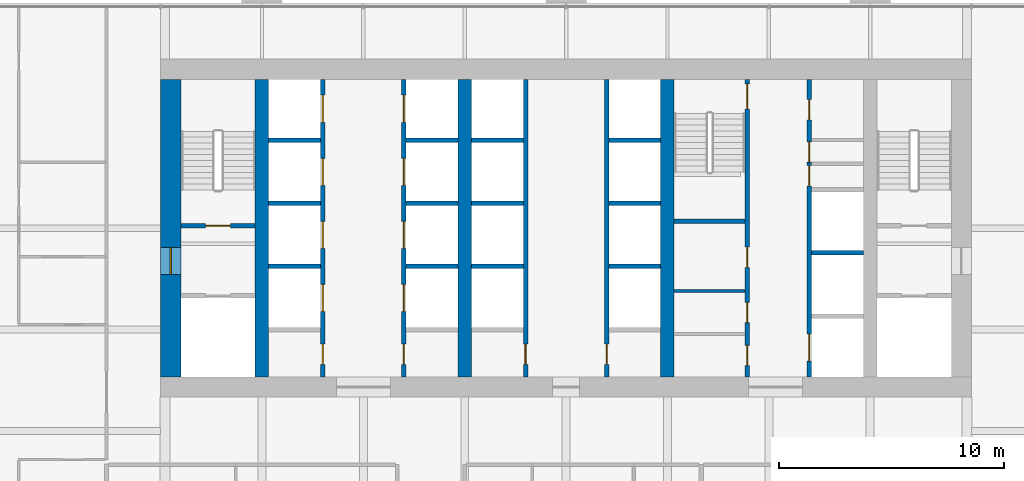
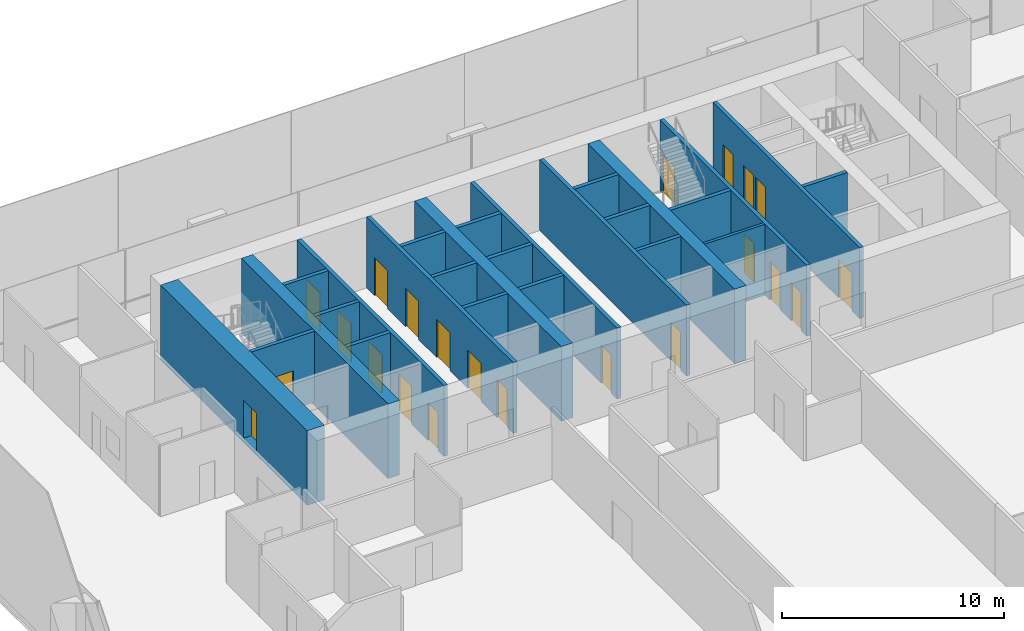
# One storey, part 13 of 17: 26 walls, 22 doors, 22 openings.
"""IFC4 building model written with IfcOpenShell, lengths in metres."""

from ifc_helpers import new_model, si_unit, direction, frame, frame_2d, origin, place, context, subcontext, project, spatial, rectangle, extrude, material, layer, layer_set, type_object, element, fill, save


model = new_model("IFC4")

# Units and contexts
model_context = context("Model", 3, precision=1e-05, world=origin(), true_north=direction((0.0, 1.0)))
body_context = subcontext(model_context, "Body", "Model", "MODEL_VIEW")
ifc_project = project(units=[si_unit("LENGTHUNIT", "METRE"), si_unit("AREAUNIT", "SQUARE_METRE"), si_unit("VOLUMEUNIT", "CUBIC_METRE"), si_unit("PLANEANGLEUNIT", "RADIAN"), si_unit("MASSUNIT", "GRAM", prefix="KILO")], contexts=[model_context])

# Site, building, storey
site_placement = place(None, origin())
site = spatial("IfcSite", under=ifc_project, at=site_placement, CompositionType="ELEMENT")
building_placement = place(site_placement, origin())
building = spatial("IfcBuilding", under=site, at=building_placement, Name="Rattan Terrace Tower", CompositionType="ELEMENT")
storey_placement = place(building_placement, frame((0.0, 0.0, 44.699951171875)))
storey = spatial("IfcBuildingStorey", under=building, at=storey_placement, Name="L09", CompositionType="ELEMENT", Elevation=44.699951171875)

# Wall
ifc_material_1 = material(Name="Gypsum board partition")
ifc_layer_1 = layer(ifc_material_1, 0.14990234375)
ifc_layer_set_1 = layer_set([ifc_layer_1], Name="Core partition 150")
wall_type_1 = type_object("IfcWallType", Name="Core partition 150", PredefinedType="PARTITIONING", material=ifc_layer_set_1)
wall_1_placement = place(storey_placement, frame((4.800048828125, -2.7919921875, 0.0), z_axis=(0.0, 0.0, 1.0), x_axis=(1.0, 0.0, 0.0)))
element("IfcWall", 1, at=wall_1_placement, inside=storey, type_object=wall_type_1, Name="Toilet wall", PredefinedType="PARTITIONING", context=body_context, shape_type="SweptSolid", body=[
    extrude(rectangle(XDim=3.14990234375, YDim=0.14990234375, at=frame_2d((1.574951171875, 0.0))), origin(), (0.0, 0.0, 1.0), 3.900146484375),
])

# Wall, opening, door
ifc_material_2 = material(Name="Gypsum board partition")
ifc_layer_2 = layer(ifc_material_2, 0.199951171875)
ifc_layer_set_2 = layer_set([ifc_layer_2], Name="Core partition 200")
wall_type_2 = type_object("IfcWallType", Name="Core partition 200", PredefinedType="PARTITIONING", material=ifc_layer_set_2)
wall_2_placement = place(storey_placement, frame((-17.10009765625, 0.10009765625, 0.0), z_axis=(0.0, 0.0, 1.0), x_axis=(1.0, 0.0, 0.0)))
wall_2 = element("IfcWall", 2, at=wall_2_placement, inside=storey, type_object=wall_type_2, Name="Stair enclosure wall", PredefinedType="PARTITIONING", context=body_context, shape_type="SweptSolid", body=[
    extrude(rectangle(XDim=3.300048828125, YDim=0.199951171875, at=frame_2d((1.64990234375, 0.0))), origin(), (0.0, 0.0, 1.0), 3.900146484375),
])
opening_1_placement = place(wall_2_placement, frame((1.10009765625, 0.0, 0.0)))
opening_1 = element("IfcOpeningElement", 3, at=opening_1_placement, cuts=wall_2, Name="Opening L09-D002", PredefinedType="OPENING", context=body_context, shape_type="SweptSolid", body=[
    extrude(rectangle(XDim=1.10009765625, YDim=2.10009765625, at=frame_2d((0.550048828125, 1.050048828125))), frame((0.0, 0.110595703125, 0.0), z_axis=(0.0, -1.0, 0.0), x_axis=(1.0, 0.0, 0.0)), (0.0, 0.0, 1.0), 0.220947265625),
])
ifc_material_3 = material(Name="Hollow-metal fire door leaf")
door_type_1 = type_object("IfcDoorType", Name="Core stair door 1100", OperationType="NOTDEFINED", PredefinedType="DOOR", material=ifc_material_3)
door_1_placement = place(opening_1_placement, origin())
door_1 = element("IfcDoor", 4, at=door_1_placement, inside=storey, type_object=door_type_1, Name="Door L09-D002", OperationType="SINGLE_SWING_RIGHT", OverallHeight=2.10009765625, OverallWidth=1.10009765625, PredefinedType="DOOR", context=body_context, shape_type="SweptSolid", body=[
    extrude(rectangle(XDim=1.10009765625, YDim=2.10009765625, at=frame_2d((0.550048828125, 1.050048828125))), frame((0.0, 0.02490234375, 0.0), z_axis=(0.0, -1.0, 0.0), x_axis=(1.0, 0.0, 0.0)), (0.0, 0.0, 1.0), 0.050048828125),
])
fill(opening_1, door_1)

# Wall, openings, doors
wall_3_placement = place(storey_placement, frame((8.050048828125, -6.60009765625, 0.0), z_axis=(0.0, 0.0, 1.0), x_axis=(0.0, 1.0, 0.0)))
wall_3 = element("IfcWall", 5, at=wall_3_placement, inside=storey, type_object=wall_type_2, Name="Lobby wall west", PredefinedType="PARTITIONING", context=body_context, shape_type="SweptSolid", body=[
    extrude(rectangle(XDim=13.2001953125, YDim=0.199951171875, at=frame_2d((6.60009765625, 0.0))), origin(), (0.0, 0.0, 1.0), 3.900146484375),
])
opening_2_placement = place(wall_3_placement, frame((0.501953125, 0.0, 0.0)))
opening_2 = element("IfcOpeningElement", 6, at=opening_2_placement, cuts=wall_3, Name="Opening L09-D011", PredefinedType="OPENING", context=body_context, shape_type="SweptSolid", body=[
    extrude(rectangle(XDim=0.89990234375, YDim=2.10009765625, at=frame_2d((0.449951171875, 1.050048828125))), frame((0.0, 0.110595703125, 0.0), z_axis=(0.0, -1.0, 0.0), x_axis=(1.0, 0.0, 0.0)), (0.0, 0.0, 1.0), 0.220947265625),
])
opening_3_placement = place(wall_3_placement, frame((2.406005859375, 0.0, 0.0)))
opening_3 = element("IfcOpeningElement", 7, at=opening_3_placement, cuts=wall_3, Name="Opening L09-D012", PredefinedType="OPENING", context=body_context, shape_type="SweptSolid", body=[
    extrude(rectangle(XDim=0.89990234375, YDim=2.10009765625, at=frame_2d((0.449951171875, 1.050048828125))), frame((0.0, 0.110595703125, 0.0), z_axis=(0.0, -1.0, 0.0), x_axis=(1.0, 0.0, 0.0)), (0.0, 0.0, 1.0), 0.220947265625),
])
opening_4_placement = place(wall_3_placement, frame((4.85400390625, 0.0, 0.0)))
opening_4 = element("IfcOpeningElement", 8, at=opening_4_placement, cuts=wall_3, Name="Opening L09-D013", PredefinedType="OPENING", context=body_context, shape_type="SweptSolid", body=[
    extrude(rectangle(XDim=0.89990234375, YDim=2.10009765625, at=frame_2d((0.449951171875, 1.050048828125))), frame((0.0, 0.110595703125, 0.0), z_axis=(0.0, -1.0, 0.0), x_axis=(1.0, 0.0, 0.0)), (0.0, 0.0, 1.0), 0.220947265625),
])
opening_5_placement = place(wall_3_placement, frame((11.89990234375, 0.0, 0.0)))
opening_5 = element("IfcOpeningElement", 9, at=opening_5_placement, cuts=wall_3, Name="Opening L09-D014", PredefinedType="OPENING", context=body_context, shape_type="SweptSolid", body=[
    extrude(rectangle(XDim=1.10009765625, YDim=2.10009765625, at=frame_2d((0.550048828125, 1.050048828125))), frame((0.0, 0.110595703125, 0.0), z_axis=(0.0, -1.0, 0.0), x_axis=(1.0, 0.0, 0.0)), (0.0, 0.0, 1.0), 0.220947265625),
])
door_2_placement = place(opening_5_placement, origin())
door_2 = element("IfcDoor", 10, at=door_2_placement, inside=storey, type_object=door_type_1, Name="Door L09-D014", OperationType="SINGLE_SWING_LEFT", OverallHeight=2.10009765625, OverallWidth=1.10009765625, PredefinedType="DOOR", context=body_context, shape_type="SweptSolid", body=[
    extrude(rectangle(XDim=1.10009765625, YDim=2.10009765625, at=frame_2d((0.550048828125, 1.050048828125))), frame((0.0, 0.02490234375, 0.0), z_axis=(0.0, -1.0, 0.0), x_axis=(1.0, 0.0, 0.0)), (0.0, 0.0, 1.0), 0.050048828125),
])
fill(opening_5, door_2)
ifc_material_4 = material(Name="Hollow-metal fire door leaf")
door_type_2 = type_object("IfcDoorType", Name="Core toilet door 900", OperationType="NOTDEFINED", PredefinedType="DOOR", material=ifc_material_4)
door_3_placement = place(opening_2_placement, origin())
door_3 = element("IfcDoor", 11, at=door_3_placement, inside=storey, type_object=door_type_2, Name="Door L09-D011", OperationType="SINGLE_SWING_RIGHT", OverallHeight=2.10009765625, OverallWidth=0.89990234375, PredefinedType="DOOR", context=body_context, shape_type="SweptSolid", body=[
    extrude(rectangle(XDim=0.89990234375, YDim=2.10009765625, at=frame_2d((0.449951171875, 1.050048828125))), frame((0.0, 0.02490234375, 0.0), z_axis=(0.0, -1.0, 0.0), x_axis=(1.0, 0.0, 0.0)), (0.0, 0.0, 1.0), 0.050048828125),
])
fill(opening_2, door_3)
door_4_placement = place(opening_3_placement, origin())
door_4 = element("IfcDoor", 12, at=door_4_placement, inside=storey, type_object=door_type_2, Name="Door L09-D012", OperationType="SINGLE_SWING_LEFT", OverallHeight=2.10009765625, OverallWidth=0.89990234375, PredefinedType="DOOR", context=body_context, shape_type="SweptSolid", body=[
    extrude(rectangle(XDim=0.89990234375, YDim=2.10009765625, at=frame_2d((0.449951171875, 1.050048828125))), frame((0.0, 0.02490234375, 0.0), z_axis=(0.0, -1.0, 0.0), x_axis=(1.0, 0.0, 0.0)), (0.0, 0.0, 1.0), 0.050048828125),
])
fill(opening_3, door_4)
door_5_placement = place(opening_4_placement, origin())
door_5 = element("IfcDoor", 13, at=door_5_placement, inside=storey, type_object=door_type_2, Name="Door L09-D013", OperationType="SINGLE_SWING_RIGHT", OverallHeight=2.10009765625, OverallWidth=0.89990234375, PredefinedType="DOOR", context=body_context, shape_type="SweptSolid", body=[
    extrude(rectangle(XDim=0.89990234375, YDim=2.10009765625, at=frame_2d((0.449951171875, 1.050048828125))), frame((0.0, 0.02490234375, 0.0), z_axis=(0.0, -1.0, 0.0), x_axis=(1.0, 0.0, 0.0)), (0.0, 0.0, 1.0), 0.050048828125),
])
fill(opening_4, door_5)

# Wall
wall_4_placement = place(storey_placement, frame((4.800048828125, 0.300048828125, 0.0), z_axis=(0.0, 0.0, 1.0), x_axis=(1.0, 0.0, 0.0)))
element("IfcWall", 14, at=wall_4_placement, inside=storey, type_object=wall_type_2, Name="Stair enclosure wall", PredefinedType="PARTITIONING", context=body_context, shape_type="SweptSolid", body=[
    extrude(rectangle(XDim=3.14990234375, YDim=0.199951171875, at=frame_2d((1.574951171875, 0.0))), origin(), (0.0, 0.0, 1.0), 3.900146484375),
])

# Wall, opening, door
ifc_material_5 = material(Name="Concrete C70/85", Category="concrete")
ifc_layer_3 = layer(ifc_material_5, 0.89990234375)
ifc_layer_set_3 = layer_set([ifc_layer_3], Name="Core ring wall 900 C70/85")
wall_type_3 = type_object("IfcWallType", Name="Core ring wall 900 C70/85", PredefinedType="SHEAR", material=ifc_layer_set_3)
wall_5_placement = place(storey_placement, frame((-17.550048828125, -6.60009765625, -0.199951171875), z_axis=(0.0, 0.0, 1.0), x_axis=(0.0, 1.0, 0.0)))
wall_5 = element("IfcWall", 15, at=wall_5_placement, inside=storey, type_object=wall_type_3, Name="Rear core wall west", PredefinedType="SHEAR", context=body_context, shape_type="SweptSolid", body=[
    extrude(rectangle(XDim=13.2001953125, YDim=0.89990234375, at=frame_2d((6.60009765625, 0.0))), origin(), (0.0, 0.0, 1.0), 4.10009765625),
])
opening_6_placement = place(wall_5_placement, frame((4.550048828125, 0.0, 0.199951171875)))
opening_6 = element("IfcOpeningElement", 16, at=opening_6_placement, cuts=wall_5, Name="Opening L09-D001", PredefinedType="OPENING", context=body_context, shape_type="SweptSolid", body=[
    extrude(rectangle(XDim=1.199951171875, YDim=2.10009765625, at=frame_2d((0.60009765625, 1.050048828125))), frame((0.0, 0.46044921875, 0.0), z_axis=(0.0, -1.0, 0.0), x_axis=(1.0, 0.0, 0.0)), (0.0, 0.0, 1.0), 0.9208984375),
])
ifc_material_6 = material(Name="Hollow-metal fire door leaf")
door_type_3 = type_object("IfcDoorType", Name="Core fire-fighting lobby door 1200", OperationType="NOTDEFINED", PredefinedType="DOOR", material=ifc_material_6)
door_6_placement = place(opening_6_placement, origin())
door_6 = element("IfcDoor", 17, at=door_6_placement, inside=storey, type_object=door_type_3, Name="Door L09-D001", OperationType="SINGLE_SWING_LEFT", OverallHeight=2.10009765625, OverallWidth=1.199951171875, PredefinedType="DOOR", context=body_context, shape_type="SweptSolid", body=[
    extrude(rectangle(XDim=1.199951171875, YDim=2.10009765625, at=frame_2d((0.60009765625, 1.050048828125))), frame((0.0, 0.02490234375, 0.0), z_axis=(0.0, -1.0, 0.0), x_axis=(1.0, 0.0, 0.0)), (0.0, 0.0, 1.0), 0.050048828125),
])
fill(opening_6, door_6)

# Walls
ifc_material_7 = material(Name="Concrete C70/85", Category="concrete")
ifc_layer_4 = layer(ifc_material_7, 0.60009765625)
ifc_layer_set_4 = layer_set([ifc_layer_4], Name="Core spine wall 600 C70/85")
wall_type_4 = type_object("IfcWallType", Name="Core spine wall 600 C70/85", PredefinedType="SHEAR", material=ifc_layer_set_4)
for number, where, z_axis, x_axis, name in (
    (18, (-13.5, -6.60009765625, -0.199951171875), (0.0, 0.0, 1.0), (0.0, 1.0, 0.0), "Core spine wall 1"),
    (19, (-4.5, -6.60009765625, -0.199951171875), (0.0, 0.0, 1.0), (0.0, 1.0, 0.0), "Core spine wall 2"),
    (20, (4.5, -6.60009765625, -0.199951171875), (0.0, 0.0, 1.0), (0.0, 1.0, 0.0), "Core spine wall 3"),
):
    element("IfcWall", number, at=place(storey_placement, frame(where, z_axis=z_axis, x_axis=x_axis)), inside=storey, type_object=wall_type_4, Name=name, PredefinedType="SHEAR", context=body_context, shape_type="SweptSolid", body=[
        extrude(rectangle(XDim=13.2001953125, YDim=0.60009765625, at=frame_2d((6.60009765625, 0.0))), origin(), (0.0, 0.0, 1.0), 4.10009765625),
    ])

# Wall, openings, doors
ifc_material_8 = material(Name="Gypsum shaft wall system")
ifc_layer_5 = layer(ifc_material_8, 0.199951171875)
ifc_layer_set_5 = layer_set([ifc_layer_5], Name="Lift shaft wall 200")
wall_type_5 = type_object("IfcWallType", Name="Lift shaft wall 200", PredefinedType="PARTITIONING", material=ifc_layer_set_5)
wall_6_placement = place(storey_placement, frame((-10.800048828125, -6.60009765625, 0.0), z_axis=(0.0, 0.0, 1.0), x_axis=(0.0, 1.0, 0.0)))
wall_6 = element("IfcWall", 21, at=wall_6_placement, inside=storey, type_object=wall_type_5, Name="Lift shaft front wall", PredefinedType="PARTITIONING", context=body_context, shape_type="SweptSolid", body=[
    extrude(rectangle(XDim=13.2001953125, YDim=0.199951171875, at=frame_2d((6.60009765625, 0.0))), origin(), (0.0, 0.0, 1.0), 3.900146484375),
])
opening_7_placement = place(wall_6_placement, frame((0.550048828125, 0.0, 0.0)))
opening_7 = element("IfcOpeningElement", 22, at=opening_7_placement, cuts=wall_6, Name="Opening L09-D005", PredefinedType="OPENING", context=body_context, shape_type="SweptSolid", body=[
    extrude(rectangle(XDim=0.89990234375, YDim=2.10009765625, at=frame_2d((0.449951171875, 1.050048828125))), frame((0.0, 0.110595703125, 0.0), z_axis=(0.0, -1.0, 0.0), x_axis=(1.0, 0.0, 0.0)), (0.0, 0.0, 1.0), 0.220947265625),
])
opening_8_placement = place(wall_6_placement, frame((2.89990234375, 0.0, 0.0)))
opening_8 = element("IfcOpeningElement", 23, at=opening_8_placement, cuts=wall_6, Name="Opening L09-LD-LR1", PredefinedType="OPENING", context=body_context, shape_type="SweptSolid", body=[
    extrude(rectangle(XDim=1.199951171875, YDim=2.10009765625, at=frame_2d((0.60009765625, 1.050048828125))), frame((0.0, 0.110595703125, 0.0), z_axis=(0.0, -1.0, 0.0), x_axis=(1.0, 0.0, 0.0)), (0.0, 0.0, 1.0), 0.220947265625),
])
opening_9_placement = place(wall_6_placement, frame((5.699951171875, 0.0, 0.0)))
opening_9 = element("IfcOpeningElement", 24, at=opening_9_placement, cuts=wall_6, Name="Opening L09-LD-LR2", PredefinedType="OPENING", context=body_context, shape_type="SweptSolid", body=[
    extrude(rectangle(XDim=1.199951171875, YDim=2.10009765625, at=frame_2d((0.60009765625, 1.050048828125))), frame((0.0, 0.110595703125, 0.0), z_axis=(0.0, -1.0, 0.0), x_axis=(1.0, 0.0, 0.0)), (0.0, 0.0, 1.0), 0.220947265625),
])
opening_10_placement = place(wall_6_placement, frame((8.5, 0.0, 0.0)))
opening_10 = element("IfcOpeningElement", 25, at=opening_10_placement, cuts=wall_6, Name="Opening L09-LD-LR3", PredefinedType="OPENING", context=body_context, shape_type="SweptSolid", body=[
    extrude(rectangle(XDim=1.199951171875, YDim=2.10009765625, at=frame_2d((0.60009765625, 1.050048828125))), frame((0.0, 0.110595703125, 0.0), z_axis=(0.0, -1.0, 0.0), x_axis=(1.0, 0.0, 0.0)), (0.0, 0.0, 1.0), 0.220947265625),
])
opening_11_placement = place(wall_6_placement, frame((11.300048828125, 0.0, 0.0)))
opening_11 = element("IfcOpeningElement", 26, at=opening_11_placement, cuts=wall_6, Name="Opening L09-LD-LR4", PredefinedType="OPENING", context=body_context, shape_type="SweptSolid", body=[
    extrude(rectangle(XDim=1.199951171875, YDim=2.10009765625, at=frame_2d((0.60009765625, 1.050048828125))), frame((0.0, 0.110595703125, 0.0), z_axis=(0.0, -1.0, 0.0), x_axis=(1.0, 0.0, 0.0)), (0.0, 0.0, 1.0), 0.220947265625),
])
ifc_material_9 = material(Name="Brushed stainless landing door panel")
door_type_4 = type_object("IfcDoorType", Name="Core lift landing door 1200", OperationType="DOUBLE_DOOR_SLIDING", PredefinedType="DOOR", material=ifc_material_9)
door_7_placement = place(opening_8_placement, origin())
door_7 = element("IfcDoor", 27, at=door_7_placement, inside=storey, type_object=door_type_4, Name="Door L09-LD-LR1", OperationType="DOUBLE_DOOR_SLIDING", OverallHeight=2.10009765625, OverallWidth=1.199951171875, PredefinedType="DOOR", context=body_context, shape_type="SweptSolid", body=[
    extrude(rectangle(XDim=1.199951171875, YDim=2.10009765625, at=frame_2d((0.60009765625, 1.050048828125))), frame((0.0, 0.02490234375, 0.0), z_axis=(0.0, -1.0, 0.0), x_axis=(1.0, 0.0, 0.0)), (0.0, 0.0, 1.0), 0.050048828125),
])
fill(opening_8, door_7)
door_8_placement = place(opening_9_placement, origin())
door_8 = element("IfcDoor", 28, at=door_8_placement, inside=storey, type_object=door_type_4, Name="Door L09-LD-LR2", OperationType="DOUBLE_DOOR_SLIDING", OverallHeight=2.10009765625, OverallWidth=1.199951171875, PredefinedType="DOOR", context=body_context, shape_type="SweptSolid", body=[
    extrude(rectangle(XDim=1.199951171875, YDim=2.10009765625, at=frame_2d((0.60009765625, 1.050048828125))), frame((0.0, 0.02490234375, 0.0), z_axis=(0.0, -1.0, 0.0), x_axis=(1.0, 0.0, 0.0)), (0.0, 0.0, 1.0), 0.050048828125),
])
fill(opening_9, door_8)
door_9_placement = place(opening_10_placement, origin())
door_9 = element("IfcDoor", 29, at=door_9_placement, inside=storey, type_object=door_type_4, Name="Door L09-LD-LR3", OperationType="DOUBLE_DOOR_SLIDING", OverallHeight=2.10009765625, OverallWidth=1.199951171875, PredefinedType="DOOR", context=body_context, shape_type="SweptSolid", body=[
    extrude(rectangle(XDim=1.199951171875, YDim=2.10009765625, at=frame_2d((0.60009765625, 1.050048828125))), frame((0.0, 0.02490234375, 0.0), z_axis=(0.0, -1.0, 0.0), x_axis=(1.0, 0.0, 0.0)), (0.0, 0.0, 1.0), 0.050048828125),
])
fill(opening_10, door_9)
door_10_placement = place(opening_11_placement, origin())
door_10 = element("IfcDoor", 30, at=door_10_placement, inside=storey, type_object=door_type_4, Name="Door L09-LD-LR4", OperationType="DOUBLE_DOOR_SLIDING", OverallHeight=2.10009765625, OverallWidth=1.199951171875, PredefinedType="DOOR", context=body_context, shape_type="SweptSolid", body=[
    extrude(rectangle(XDim=1.199951171875, YDim=2.10009765625, at=frame_2d((0.60009765625, 1.050048828125))), frame((0.0, 0.02490234375, 0.0), z_axis=(0.0, -1.0, 0.0), x_axis=(1.0, 0.0, 0.0)), (0.0, 0.0, 1.0), 0.050048828125),
])
fill(opening_11, door_10)
ifc_material_10 = material(Name="Hollow-metal fire door leaf")
door_type_5 = type_object("IfcDoorType", Name="Core riser door 900", OperationType="NOTDEFINED", PredefinedType="DOOR", material=ifc_material_10)
door_11_placement = place(opening_7_placement, origin())
door_11 = element("IfcDoor", 31, at=door_11_placement, inside=storey, type_object=door_type_5, Name="Door L09-D005", OperationType="SINGLE_SWING_LEFT", OverallHeight=2.10009765625, OverallWidth=0.89990234375, PredefinedType="DOOR", context=body_context, shape_type="SweptSolid", body=[
    extrude(rectangle(XDim=0.89990234375, YDim=2.10009765625, at=frame_2d((0.449951171875, 1.050048828125))), frame((0.0, 0.02490234375, 0.0), z_axis=(0.0, -1.0, 0.0), x_axis=(1.0, 0.0, 0.0)), (0.0, 0.0, 1.0), 0.050048828125),
])
fill(opening_7, door_11)

wall_7_placement = place(storey_placement, frame((-7.199951171875, -6.60009765625, 0.0), z_axis=(0.0, 0.0, 1.0), x_axis=(0.0, 1.0, 0.0)))
wall_7 = element("IfcWall", 32, at=wall_7_placement, inside=storey, type_object=wall_type_5, Name="Lift shaft front wall", PredefinedType="PARTITIONING", context=body_context, shape_type="SweptSolid", body=[
    extrude(rectangle(XDim=13.2001953125, YDim=0.199951171875, at=frame_2d((6.60009765625, 0.0))), origin(), (0.0, 0.0, 1.0), 3.900146484375),
])
opening_12_placement = place(wall_7_placement, frame((0.550048828125, 0.0, 0.0)))
opening_12 = element("IfcOpeningElement", 33, at=opening_12_placement, cuts=wall_7, Name="Opening L09-D006", PredefinedType="OPENING", context=body_context, shape_type="SweptSolid", body=[
    extrude(rectangle(XDim=0.89990234375, YDim=2.10009765625, at=frame_2d((0.449951171875, 1.050048828125))), frame((0.0, 0.110595703125, 0.0), z_axis=(0.0, -1.0, 0.0), x_axis=(1.0, 0.0, 0.0)), (0.0, 0.0, 1.0), 0.220947265625),
])
opening_13_placement = place(wall_7_placement, frame((2.89990234375, 0.0, 0.0)))
opening_13 = element("IfcOpeningElement", 34, at=opening_13_placement, cuts=wall_7, Name="Opening L09-LD-LR5", PredefinedType="OPENING", context=body_context, shape_type="SweptSolid", body=[
    extrude(rectangle(XDim=1.199951171875, YDim=2.10009765625, at=frame_2d((0.60009765625, 1.050048828125))), frame((0.0, 0.110595703125, 0.0), z_axis=(0.0, -1.0, 0.0), x_axis=(1.0, 0.0, 0.0)), (0.0, 0.0, 1.0), 0.220947265625),
])
opening_14_placement = place(wall_7_placement, frame((5.699951171875, 0.0, 0.0)))
opening_14 = element("IfcOpeningElement", 35, at=opening_14_placement, cuts=wall_7, Name="Opening L09-LD-LR6", PredefinedType="OPENING", context=body_context, shape_type="SweptSolid", body=[
    extrude(rectangle(XDim=1.199951171875, YDim=2.10009765625, at=frame_2d((0.60009765625, 1.050048828125))), frame((0.0, 0.110595703125, 0.0), z_axis=(0.0, -1.0, 0.0), x_axis=(1.0, 0.0, 0.0)), (0.0, 0.0, 1.0), 0.220947265625),
])
opening_15_placement = place(wall_7_placement, frame((8.5, 0.0, 0.0)))
opening_15 = element("IfcOpeningElement", 36, at=opening_15_placement, cuts=wall_7, Name="Opening L09-LD-LR7", PredefinedType="OPENING", context=body_context, shape_type="SweptSolid", body=[
    extrude(rectangle(XDim=1.199951171875, YDim=2.10009765625, at=frame_2d((0.60009765625, 1.050048828125))), frame((0.0, 0.110595703125, 0.0), z_axis=(0.0, -1.0, 0.0), x_axis=(1.0, 0.0, 0.0)), (0.0, 0.0, 1.0), 0.220947265625),
])
opening_16_placement = place(wall_7_placement, frame((11.300048828125, 0.0, 0.0)))
opening_16 = element("IfcOpeningElement", 37, at=opening_16_placement, cuts=wall_7, Name="Opening L09-LD-LR8", PredefinedType="OPENING", context=body_context, shape_type="SweptSolid", body=[
    extrude(rectangle(XDim=1.199951171875, YDim=2.10009765625, at=frame_2d((0.60009765625, 1.050048828125))), frame((0.0, 0.110595703125, 0.0), z_axis=(0.0, -1.0, 0.0), x_axis=(1.0, 0.0, 0.0)), (0.0, 0.0, 1.0), 0.220947265625),
])
door_12_placement = place(opening_13_placement, origin())
door_12 = element("IfcDoor", 38, at=door_12_placement, inside=storey, type_object=door_type_4, Name="Door L09-LD-LR5", OperationType="DOUBLE_DOOR_SLIDING", OverallHeight=2.10009765625, OverallWidth=1.199951171875, PredefinedType="DOOR", context=body_context, shape_type="SweptSolid", body=[
    extrude(rectangle(XDim=1.199951171875, YDim=2.10009765625, at=frame_2d((0.60009765625, 1.050048828125))), frame((0.0, 0.02490234375, 0.0), z_axis=(0.0, -1.0, 0.0), x_axis=(1.0, 0.0, 0.0)), (0.0, 0.0, 1.0), 0.050048828125),
])
fill(opening_13, door_12)
door_13_placement = place(opening_14_placement, origin())
door_13 = element("IfcDoor", 39, at=door_13_placement, inside=storey, type_object=door_type_4, Name="Door L09-LD-LR6", OperationType="DOUBLE_DOOR_SLIDING", OverallHeight=2.10009765625, OverallWidth=1.199951171875, PredefinedType="DOOR", context=body_context, shape_type="SweptSolid", body=[
    extrude(rectangle(XDim=1.199951171875, YDim=2.10009765625, at=frame_2d((0.60009765625, 1.050048828125))), frame((0.0, 0.02490234375, 0.0), z_axis=(0.0, -1.0, 0.0), x_axis=(1.0, 0.0, 0.0)), (0.0, 0.0, 1.0), 0.050048828125),
])
fill(opening_14, door_13)
door_14_placement = place(opening_15_placement, origin())
door_14 = element("IfcDoor", 40, at=door_14_placement, inside=storey, type_object=door_type_4, Name="Door L09-LD-LR7", OperationType="DOUBLE_DOOR_SLIDING", OverallHeight=2.10009765625, OverallWidth=1.199951171875, PredefinedType="DOOR", context=body_context, shape_type="SweptSolid", body=[
    extrude(rectangle(XDim=1.199951171875, YDim=2.10009765625, at=frame_2d((0.60009765625, 1.050048828125))), frame((0.0, 0.02490234375, 0.0), z_axis=(0.0, -1.0, 0.0), x_axis=(1.0, 0.0, 0.0)), (0.0, 0.0, 1.0), 0.050048828125),
])
fill(opening_15, door_14)
door_15_placement = place(opening_16_placement, origin())
door_15 = element("IfcDoor", 41, at=door_15_placement, inside=storey, type_object=door_type_4, Name="Door L09-LD-LR8", OperationType="DOUBLE_DOOR_SLIDING", OverallHeight=2.10009765625, OverallWidth=1.199951171875, PredefinedType="DOOR", context=body_context, shape_type="SweptSolid", body=[
    extrude(rectangle(XDim=1.199951171875, YDim=2.10009765625, at=frame_2d((0.60009765625, 1.050048828125))), frame((0.0, 0.02490234375, 0.0), z_axis=(0.0, -1.0, 0.0), x_axis=(1.0, 0.0, 0.0)), (0.0, 0.0, 1.0), 0.050048828125),
])
fill(opening_16, door_15)
door_16_placement = place(opening_12_placement, origin())
door_16 = element("IfcDoor", 42, at=door_16_placement, inside=storey, type_object=door_type_5, Name="Door L09-D006", OperationType="SINGLE_SWING_RIGHT", OverallHeight=2.10009765625, OverallWidth=0.89990234375, PredefinedType="DOOR", context=body_context, shape_type="SweptSolid", body=[
    extrude(rectangle(XDim=0.89990234375, YDim=2.10009765625, at=frame_2d((0.449951171875, 1.050048828125))), frame((0.0, 0.02490234375, 0.0), z_axis=(0.0, -1.0, 0.0), x_axis=(1.0, 0.0, 0.0)), (0.0, 0.0, 1.0), 0.050048828125),
])
fill(opening_12, door_16)

# Walls
for number, where, z_axis, x_axis, name in (
    (43, (-13.199951171875, -1.699951171875, 0.0), (0.0, 0.0, 1.0), (1.0, 0.0, 0.0), "Lift shaft wall"),
    (44, (-13.199951171875, 1.10009765625, 0.0), (0.0, 0.0, 1.0), (1.0, 0.0, 0.0), "Lift shaft wall"),
    (45, (-13.199951171875, 3.89990234375, 0.0), (0.0, 0.0, 1.0), (1.0, 0.0, 0.0), "Lift shaft wall"),
    (46, (-7.10009765625, -1.699951171875, 0.0), (0.0, 0.0, 1.0), (1.0, 0.0, 0.0), "Lift shaft wall"),
    (47, (-7.10009765625, 1.10009765625, 0.0), (0.0, 0.0, 1.0), (1.0, 0.0, 0.0), "Lift shaft wall"),
    (48, (-7.10009765625, 3.89990234375, 0.0), (0.0, 0.0, 1.0), (1.0, 0.0, 0.0), "Lift shaft wall"),
):
    element("IfcWall", number, at=place(storey_placement, frame(where, z_axis=z_axis, x_axis=x_axis)), inside=storey, type_object=wall_type_5, Name=name, PredefinedType="PARTITIONING", context=body_context, shape_type="SweptSolid", body=[
        extrude(rectangle(XDim=2.300048828125, YDim=0.199951171875, at=frame_2d((1.14990234375, 0.0))), origin(), (0.0, 0.0, 1.0), 3.900146484375),
    ])

# Wall, opening, door
wall_8_placement = place(storey_placement, frame((-1.800048828125, -6.60009765625, 0.0), z_axis=(0.0, 0.0, 1.0), x_axis=(0.0, 1.0, 0.0)))
wall_8 = element("IfcWall", 49, at=wall_8_placement, inside=storey, type_object=wall_type_5, Name="Lift shaft front wall", PredefinedType="PARTITIONING", context=body_context, shape_type="SweptSolid", body=[
    extrude(rectangle(XDim=13.2001953125, YDim=0.199951171875, at=frame_2d((6.60009765625, 0.0))), origin(), (0.0, 0.0, 1.0), 3.900146484375),
])
opening_17_placement = place(wall_8_placement, frame((0.550048828125, 0.0, 0.0)))
opening_17 = element("IfcOpeningElement", 50, at=opening_17_placement, cuts=wall_8, Name="Opening L09-D008", PredefinedType="OPENING", context=body_context, shape_type="SweptSolid", body=[
    extrude(rectangle(XDim=0.89990234375, YDim=2.10009765625, at=frame_2d((0.449951171875, 1.050048828125))), frame((0.0, 0.110595703125, 0.0), z_axis=(0.0, -1.0, 0.0), x_axis=(1.0, 0.0, 0.0)), (0.0, 0.0, 1.0), 0.220947265625),
])
door_17_placement = place(opening_17_placement, origin())
door_17 = element("IfcDoor", 51, at=door_17_placement, inside=storey, type_object=door_type_5, Name="Door L09-D008", OperationType="SINGLE_SWING_LEFT", OverallHeight=2.10009765625, OverallWidth=0.89990234375, PredefinedType="DOOR", context=body_context, shape_type="SweptSolid", body=[
    extrude(rectangle(XDim=0.89990234375, YDim=2.10009765625, at=frame_2d((0.449951171875, 1.050048828125))), frame((0.0, 0.02490234375, 0.0), z_axis=(0.0, -1.0, 0.0), x_axis=(1.0, 0.0, 0.0)), (0.0, 0.0, 1.0), 0.050048828125),
])
fill(opening_17, door_17)

wall_9_placement = place(storey_placement, frame((1.800048828125, -6.60009765625, 0.0), z_axis=(0.0, 0.0, 1.0), x_axis=(0.0, 1.0, 0.0)))
wall_9 = element("IfcWall", 52, at=wall_9_placement, inside=storey, type_object=wall_type_5, Name="Lift shaft front wall", PredefinedType="PARTITIONING", context=body_context, shape_type="SweptSolid", body=[
    extrude(rectangle(XDim=13.2001953125, YDim=0.199951171875, at=frame_2d((6.60009765625, 0.0))), origin(), (0.0, 0.0, 1.0), 3.900146484375),
])
opening_18_placement = place(wall_9_placement, frame((0.550048828125, 0.0, 0.0)))
opening_18 = element("IfcOpeningElement", 53, at=opening_18_placement, cuts=wall_9, Name="Opening L09-D009", PredefinedType="OPENING", context=body_context, shape_type="SweptSolid", body=[
    extrude(rectangle(XDim=0.89990234375, YDim=2.10009765625, at=frame_2d((0.449951171875, 1.050048828125))), frame((0.0, 0.110595703125, 0.0), z_axis=(0.0, -1.0, 0.0), x_axis=(1.0, 0.0, 0.0)), (0.0, 0.0, 1.0), 0.220947265625),
])
door_18_placement = place(opening_18_placement, origin())
door_18 = element("IfcDoor", 54, at=door_18_placement, inside=storey, type_object=door_type_5, Name="Door L09-D009", OperationType="SINGLE_SWING_RIGHT", OverallHeight=2.10009765625, OverallWidth=0.89990234375, PredefinedType="DOOR", context=body_context, shape_type="SweptSolid", body=[
    extrude(rectangle(XDim=0.89990234375, YDim=2.10009765625, at=frame_2d((0.449951171875, 1.050048828125))), frame((0.0, 0.02490234375, 0.0), z_axis=(0.0, -1.0, 0.0), x_axis=(1.0, 0.0, 0.0)), (0.0, 0.0, 1.0), 0.050048828125),
])
fill(opening_18, door_18)

# Walls
for number, where, z_axis, x_axis, name in (
    (55, (-4.199951171875, -1.699951171875, 0.0), (0.0, 0.0, 1.0), (1.0, 0.0, 0.0), "Lift shaft wall"),
    (56, (-4.199951171875, 1.10009765625, 0.0), (0.0, 0.0, 1.0), (1.0, 0.0, 0.0), "Lift shaft wall"),
    (57, (-4.199951171875, 3.89990234375, 0.0), (0.0, 0.0, 1.0), (1.0, 0.0, 0.0), "Lift shaft wall"),
    (58, (1.89990234375, -1.699951171875, 0.0), (0.0, 0.0, 1.0), (1.0, 0.0, 0.0), "Lift shaft wall"),
    (59, (1.89990234375, 1.10009765625, 0.0), (0.0, 0.0, 1.0), (1.0, 0.0, 0.0), "Lift shaft wall"),
    (60, (1.89990234375, 3.89990234375, 0.0), (0.0, 0.0, 1.0), (1.0, 0.0, 0.0), "Lift shaft wall"),
):
    element("IfcWall", number, at=place(storey_placement, frame(where, z_axis=z_axis, x_axis=x_axis)), inside=storey, type_object=wall_type_5, Name=name, PredefinedType="PARTITIONING", context=body_context, shape_type="SweptSolid", body=[
        extrude(rectangle(XDim=2.300048828125, YDim=0.199951171875, at=frame_2d((1.14990234375, 0.0))), origin(), (0.0, 0.0, 1.0), 3.900146484375),
    ])

# Wall, openings, doors
wall_10_placement = place(storey_placement, frame((10.800048828125, -6.60009765625, 0.0), z_axis=(0.0, 0.0, 1.0), x_axis=(0.0, 1.0, 0.0)))
wall_10 = element("IfcWall", 61, at=wall_10_placement, inside=storey, type_object=wall_type_5, Name="Lift shaft front wall", PredefinedType="PARTITIONING", context=body_context, shape_type="SweptSolid", body=[
    extrude(rectangle(XDim=13.2001953125, YDim=0.199951171875, at=frame_2d((6.60009765625, 0.0))), origin(), (0.0, 0.0, 1.0), 3.900146484375),
])
opening_19_placement = place(wall_10_placement, frame((0.699951171875, 0.0, 0.0)))
opening_19 = element("IfcOpeningElement", 62, at=opening_19_placement, cuts=wall_10, Name="Opening L09-LD-SV1", PredefinedType="OPENING", context=body_context, shape_type="SweptSolid", body=[
    extrude(rectangle(XDim=1.199951171875, YDim=2.10009765625, at=frame_2d((0.60009765625, 1.050048828125))), frame((0.0, 0.110595703125, 0.0), z_axis=(0.0, -1.0, 0.0), x_axis=(1.0, 0.0, 0.0)), (0.0, 0.0, 1.0), 0.220947265625),
])
opening_20_placement = place(wall_10_placement, frame((8.47802734375, 0.0, 0.0)))
opening_20 = element("IfcOpeningElement", 63, at=opening_20_placement, cuts=wall_10, Name="Opening L09-D016", PredefinedType="OPENING", context=body_context, shape_type="SweptSolid", body=[
    extrude(rectangle(XDim=0.89990234375, YDim=2.10009765625, at=frame_2d((0.449951171875, 1.050048828125))), frame((0.0, 0.110595703125, 0.0), z_axis=(0.0, -1.0, 0.0), x_axis=(1.0, 0.0, 0.0)), (0.0, 0.0, 1.0), 0.220947265625),
])
opening_21_placement = place(wall_10_placement, frame((9.533935546875, 0.0, 0.0)))
opening_21 = element("IfcOpeningElement", 64, at=opening_21_placement, cuts=wall_10, Name="Opening L09-D017", PredefinedType="OPENING", context=body_context, shape_type="SweptSolid", body=[
    extrude(rectangle(XDim=0.89990234375, YDim=2.10009765625, at=frame_2d((0.449951171875, 1.050048828125))), frame((0.0, 0.110595703125, 0.0), z_axis=(0.0, -1.0, 0.0), x_axis=(1.0, 0.0, 0.0)), (0.0, 0.0, 1.0), 0.220947265625),
])
opening_22_placement = place(wall_10_placement, frame((11.406005859375, 0.0, 0.0)))
opening_22 = element("IfcOpeningElement", 65, at=opening_22_placement, cuts=wall_10, Name="Opening L09-D018", PredefinedType="OPENING", context=body_context, shape_type="SweptSolid", body=[
    extrude(rectangle(XDim=0.89990234375, YDim=2.10009765625, at=frame_2d((0.449951171875, 1.050048828125))), frame((0.0, 0.110595703125, 0.0), z_axis=(0.0, -1.0, 0.0), x_axis=(1.0, 0.0, 0.0)), (0.0, 0.0, 1.0), 0.220947265625),
])
door_19_placement = place(opening_19_placement, origin())
door_19 = element("IfcDoor", 66, at=door_19_placement, inside=storey, type_object=door_type_4, Name="Door L09-LD-SV1", OperationType="DOUBLE_DOOR_SLIDING", OverallHeight=2.10009765625, OverallWidth=1.199951171875, PredefinedType="DOOR", context=body_context, shape_type="SweptSolid", body=[
    extrude(rectangle(XDim=1.199951171875, YDim=2.10009765625, at=frame_2d((0.60009765625, 1.050048828125))), frame((0.0, 0.02490234375, 0.0), z_axis=(0.0, -1.0, 0.0), x_axis=(1.0, 0.0, 0.0)), (0.0, 0.0, 1.0), 0.050048828125),
])
fill(opening_19, door_19)
door_20_placement = place(opening_20_placement, origin())
door_20 = element("IfcDoor", 67, at=door_20_placement, inside=storey, type_object=door_type_5, Name="Door L09-D016", OperationType="SINGLE_SWING_RIGHT", OverallHeight=2.10009765625, OverallWidth=0.89990234375, PredefinedType="DOOR", context=body_context, shape_type="SweptSolid", body=[
    extrude(rectangle(XDim=0.89990234375, YDim=2.10009765625, at=frame_2d((0.449951171875, 1.050048828125))), frame((0.0, 0.02490234375, 0.0), z_axis=(0.0, -1.0, 0.0), x_axis=(1.0, 0.0, 0.0)), (0.0, 0.0, 1.0), 0.050048828125),
])
fill(opening_20, door_20)
door_21_placement = place(opening_21_placement, origin())
door_21 = element("IfcDoor", 68, at=door_21_placement, inside=storey, type_object=door_type_5, Name="Door L09-D017", OperationType="SINGLE_SWING_LEFT", OverallHeight=2.10009765625, OverallWidth=0.89990234375, PredefinedType="DOOR", context=body_context, shape_type="SweptSolid", body=[
    extrude(rectangle(XDim=0.89990234375, YDim=2.10009765625, at=frame_2d((0.449951171875, 1.050048828125))), frame((0.0, 0.02490234375, 0.0), z_axis=(0.0, -1.0, 0.0), x_axis=(1.0, 0.0, 0.0)), (0.0, 0.0, 1.0), 0.050048828125),
])
fill(opening_21, door_21)
ifc_material_11 = material(Name="Hollow-metal fire door leaf")
door_type_6 = type_object("IfcDoorType", Name="Core service room door 900", OperationType="NOTDEFINED", PredefinedType="DOOR", material=ifc_material_11)
door_22_placement = place(opening_22_placement, origin())
door_22 = element("IfcDoor", 69, at=door_22_placement, inside=storey, type_object=door_type_6, Name="Door L09-D018", OperationType="SINGLE_SWING_RIGHT", OverallHeight=2.10009765625, OverallWidth=0.89990234375, PredefinedType="DOOR", context=body_context, shape_type="SweptSolid", body=[
    extrude(rectangle(XDim=0.89990234375, YDim=2.10009765625, at=frame_2d((0.449951171875, 1.050048828125))), frame((0.0, 0.02490234375, 0.0), z_axis=(0.0, -1.0, 0.0), x_axis=(1.0, 0.0, 0.0)), (0.0, 0.0, 1.0), 0.050048828125),
])
fill(opening_22, door_22)

# Wall
wall_11_placement = place(storey_placement, frame((10.89990234375, -1.10009765625, 0.0), z_axis=(0.0, 0.0, 1.0), x_axis=(1.0, 0.0, 0.0)))
element("IfcWall", 70, at=wall_11_placement, inside=storey, type_object=wall_type_5, Name="Lift shaft wall", PredefinedType="PARTITIONING", context=body_context, shape_type="SweptSolid", body=[
    extrude(rectangle(XDim=2.300048828125, YDim=0.199951171875, at=frame_2d((1.14990234375, 0.0))), origin(), (0.0, 0.0, 1.0), 3.900146484375),
])

save(model, "model.ifc")
